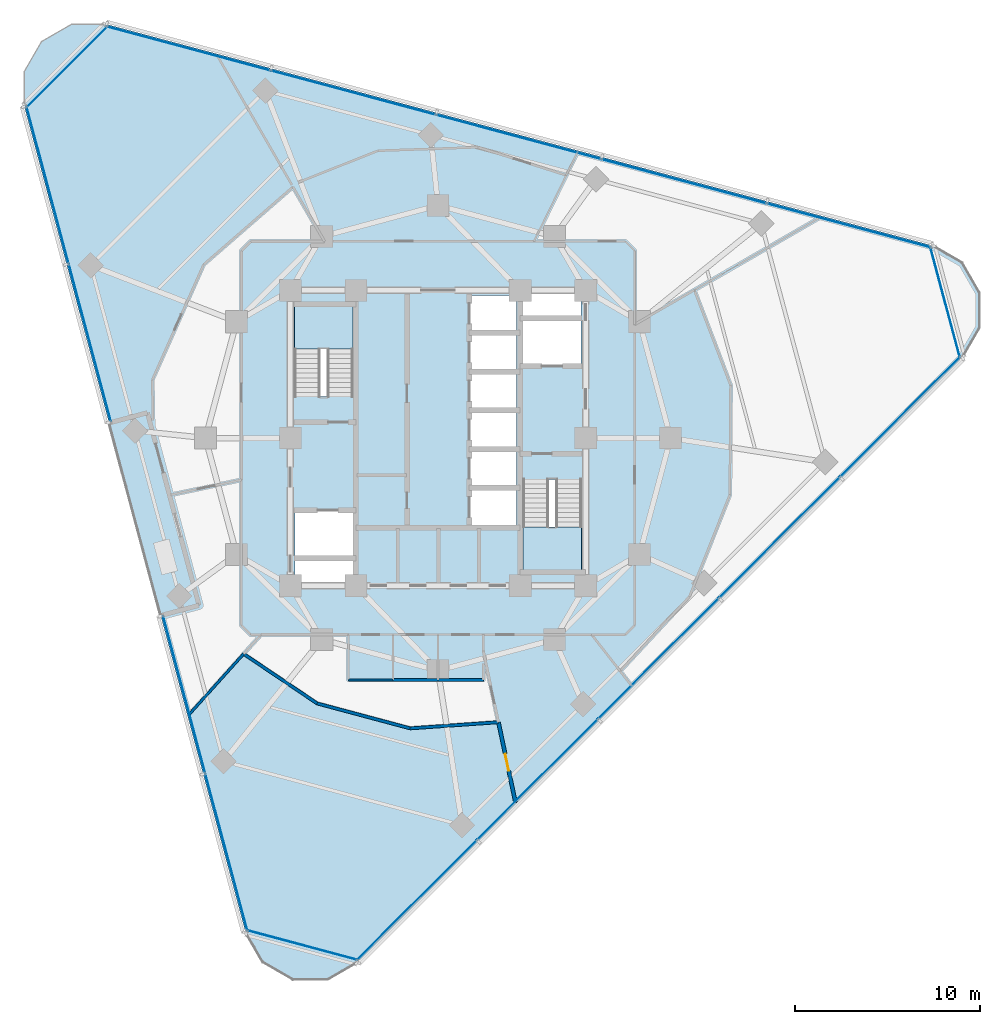
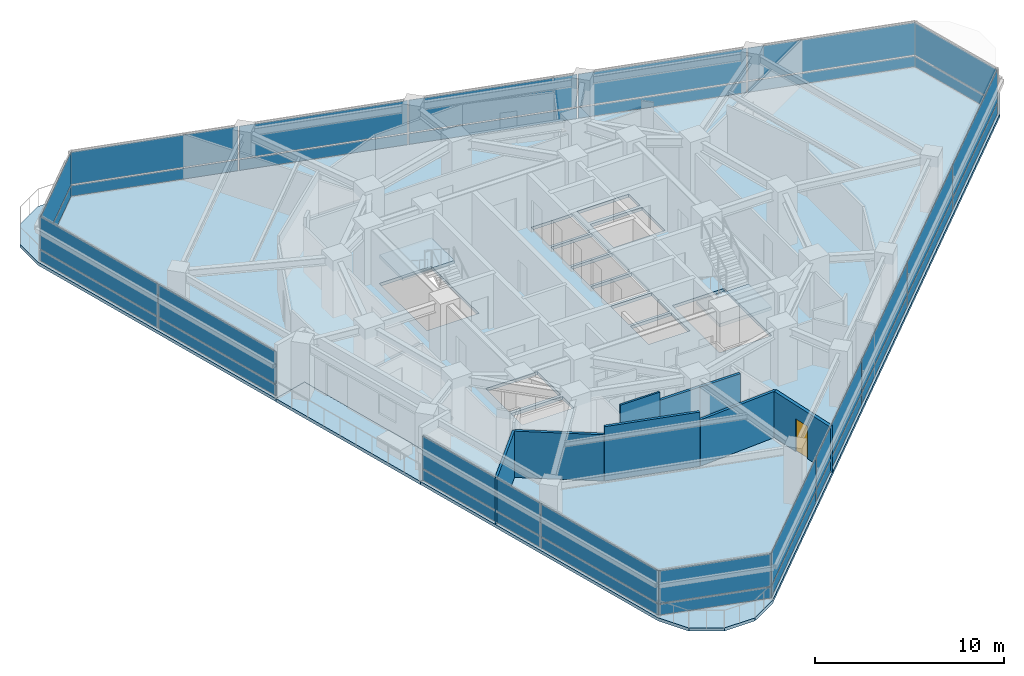
# One storey, part 6 of 14: 34 plates, 8 walls, 4 slabs, 1 door, 1 opening, 9 elements without a shape of their own.
"""IFC4 building model written with IfcOpenShell, lengths in metres."""

from ifc_helpers import new_model, si_unit, direction, frame, frame_2d, origin, origin_2d, place, context, subcontext, project, spatial, polyline, rectangle, outline, extrude, material, layer, layer_set, type_object, element, fill, aggregate, save


model = new_model("IFC4")

# Units and contexts
model_context = context("Model", 3, precision=1e-05, world=origin(), true_north=direction((0.0, 1.0)))
body_context = subcontext(model_context, "Body", "Model", "MODEL_VIEW")
ifc_project = project(units=[si_unit("LENGTHUNIT", "METRE"), si_unit("AREAUNIT", "SQUARE_METRE"), si_unit("VOLUMEUNIT", "CUBIC_METRE"), si_unit("PLANEANGLEUNIT", "RADIAN"), si_unit("MASSUNIT", "GRAM", prefix="KILO")], contexts=[model_context])

# Site, building, storey
site_placement = place(None, origin())
site = spatial("IfcSite", under=ifc_project, at=site_placement, CompositionType="ELEMENT")
building_placement = place(site_placement, origin())
building = spatial("IfcBuilding", under=site, at=building_placement, Name="Terralouvre Media Tower", CompositionType="ELEMENT")
storey_placement = place(building_placement, frame((0.0, 0.0, 206.39990234375)))
storey = spatial("IfcBuildingStorey", under=building, at=storey_placement, Name="L53", CompositionType="ELEMENT", Elevation=206.39990234375)

# Slabs
ifc_material_1 = material(Name="Concrete C40/50", Category="concrete")
ifc_layer_1 = layer(ifc_material_1, 0.199951171875, Name="Composite Tower Floor Slab S-TYP200")
ifc_layer_set_1 = layer_set([ifc_layer_1], Name="Concrete C40/50")
slab_type_1 = type_object("IfcSlabType", Name="Composite Tower Floor Slab S-TYP200", PredefinedType="FLOOR", material=ifc_layer_set_1)
slab_1_placement = place(storey_placement, frame((0.0, 0.0, -0.199951171875), z_axis=(0.0, 0.0, 1.0), x_axis=(0.707106781187, 0.707106781187, 0.0)))
element("IfcSlab", 1, at=slab_1_placement, inside=storey, type_object=slab_type_1, Name="L53 Structural Floor Slab", PredefinedType="FLOOR", context=body_context, shape_type="SweptSolid", body=[
    extrude(outline(polyline([(-3.135009765625, 28.575927734375), (-12.02490234375, 13.177978515625), (-10.1630859375, 12.10302734375), (-15.56298828125, 2.75), (-17.425048828125, 3.824951171875), (-26.31494140625, -11.572998046875), (-26.800048828125, -13.383056640625), (-26.31494140625, -15.19287109375), (-24.989990234375, -16.51806640625), (-23.179931640625, -17.0029296875), (23.179931640625, -17.0029296875), (24.989990234375, -16.51806640625), (26.31494140625, -15.19287109375), (26.800048828125, -13.383056640625), (26.31494140625, -11.572998046875), (3.135009765625, 28.575927734375), (1.81005859375, 29.90087890625), (0.0, 30.385986328125), (-1.81005859375, 29.90087890625), (-3.135009765625, 28.575927734375)]), holes=[polyline([(-7.919677734375, -1.414306640625), (-8.76806640625, -2.2626953125), (-10.99560546875, -0.035400390625), (-10.14697265625, 0.813232421875), (-7.919677734375, -1.414306640625)]), polyline([(-7.778076171875, -1.272705078125), (-10.005615234375, 0.95458984375), (-8.273193359375, 2.68701171875), (-6.045654296875, 0.459716796875), (-7.778076171875, -1.272705078125)]), polyline([(4.122314453125, -1.887939453125), (2.354736328125, -0.1201171875), (3.7265625, 1.25146484375), (5.494140625, -0.51611328125), (4.122314453125, -1.887939453125)]), polyline([(6.979248046875, 0.96875), (5.607421875, -0.403076171875), (3.839599609375, 1.36474609375), (5.21142578125, 2.736572265625), (6.979248046875, 0.96875)]), polyline([(-1.665283203125, 4.840087890625), (-3.913818359375, 7.0888671875), (-0.36767578125, 10.634765625), (1.880859375, 8.38623046875), (-1.665283203125, 4.840087890625)]), polyline([(7.09228515625, 1.081787109375), (5.324462890625, 2.849609375), (6.6962890625, 4.221435546875), (8.464111328125, 2.45361328125), (7.09228515625, 1.081787109375)]), polyline([(-1.880859375, -8.38623046875), (1.665283203125, -4.840087890625), (3.913818359375, -7.0888671875), (0.36767578125, -10.634765625), (-1.880859375, -8.38623046875)]), polyline([(-0.332275390625, -6.3427734375), (-2.10009765625, -4.574951171875), (-0.728271484375, -3.203125), (1.03955078125, -4.970947265625), (-0.332275390625, -6.3427734375)]), polyline([(1.152587890625, -4.85791015625), (-0.615234375, -3.090087890625), (0.756591796875, -1.71826171875), (2.5244140625, -3.486083984375), (1.152587890625, -4.85791015625)]), polyline([(4.00927734375, -2.001220703125), (2.637451171875, -3.372802734375), (0.86962890625, -1.605224609375), (2.241455078125, -0.2333984375), (4.00927734375, -2.001220703125)]), polyline([(8.273193359375, -2.68701171875), (6.045654296875, -0.459716796875), (7.778076171875, 1.272705078125), (10.005615234375, -0.95458984375), (8.273193359375, -2.68701171875)]), polyline([(10.14697265625, -0.813232421875), (7.919677734375, 1.414306640625), (8.76806640625, 2.2626953125), (10.99560546875, 0.035400390625), (10.14697265625, -0.813232421875)])]), origin(), (0.0, 0.0, 1.0), 0.199951171875),
])
ifc_material_2 = material(Name="Concrete C45/55", Category="concrete")
ifc_layer_2 = layer(ifc_material_2, 0.2099609375, Name="Planted Sky-Garden External Deck S-TER210")
ifc_layer_set_2 = layer_set([ifc_layer_2], Name="Concrete C45/55")
slab_type_2 = type_object("IfcSlabType", Name="Planted Sky-Garden External Deck S-TER210", PredefinedType="FLOOR", material=ifc_layer_set_2)
slab_2_placement = place(storey_placement, frame((0.0, 0.0, -0.2099609375), z_axis=(0.0, 0.0, 1.0), x_axis=(0.707106781187, 0.707106781187, 0.0)))
element("IfcSlab", 2, at=slab_2_placement, inside=storey, type_object=slab_type_2, Name="L53 Helical Planted Sky-Garden Deck 11", PredefinedType="FLOOR", context=body_context, shape_type="SweptSolid", body=[
    extrude(outline(polyline([(-12.02490234375, 13.177978515625), (-17.425048828125, 3.824951171875), (-15.56298828125, 2.75), (-10.1630859375, 12.10302734375), (-12.02490234375, 13.177978515625)])), origin(), (0.0, 0.0, 1.0), 0.2099609375),
])

# Stair, slab
ifc_material_3 = material(Name="Concrete C45/55", Category="concrete")
stair_type_1 = type_object("IfcStairType", Name="Dogleg Stair Assembly ST-01", PredefinedType="HALF_TURN_STAIR", material=ifc_material_3)
stair_1_placement = place(storey_placement, origin())
stair_1 = element("IfcStair", 3, at=stair_1_placement, inside=storey, type_object=stair_type_1, Name="L53 Core Pressurised Exit Stair ST-01", PredefinedType="HALF_TURN_STAIR")
ifc_material_4 = material(Name="Concrete C45/55", Category="concrete")
ifc_layer_3 = layer(ifc_material_4, 0.199951171875, Name="Reinforced Concrete Stair Half-Landing SL-LD1")
ifc_layer_set_3 = layer_set([ifc_layer_3], Name="Concrete C45/55")
slab_type_3 = type_object("IfcSlabType", Name="Reinforced Concrete Stair Half-Landing SL-LD1", PredefinedType="LANDING", material=ifc_layer_set_3)
slab_3_placement = place(storey_placement, frame((0.0, 0.0, 1.650146484375)))
slab_3 = element("IfcSlab", 4, at=slab_3_placement, type_object=slab_type_3, Name="ST-01 landing 1", PredefinedType="LANDING", context=body_context, shape_type="SweptSolid", body=[
    extrude(outline(polyline([(-4.60009765625, 4.820068359375), (-4.60009765625, 7.260009765625), (-7.780029296875, 7.260009765625), (-7.780029296875, 4.820068359375), (-4.60009765625, 4.820068359375)])), origin(), (0.0, 0.0, 1.0), 0.199951171875),
])
aggregate(stair_1, [slab_3])

ifc_material_5 = material(Name="Concrete C45/55", Category="concrete")
stair_type_2 = type_object("IfcStairType", Name="Dogleg Stair Assembly ST-02", PredefinedType="HALF_TURN_STAIR", material=ifc_material_5)
stair_2_placement = place(storey_placement, origin())
stair_2 = element("IfcStair", 5, at=stair_2_placement, inside=storey, type_object=stair_type_2, Name="L53 Core Pressurised Exit Stair ST-02", PredefinedType="HALF_TURN_STAIR")
slab_4_placement = place(storey_placement, frame((0.0, 0.0, 1.650146484375)))
slab_4 = element("IfcSlab", 6, at=slab_4_placement, type_object=slab_type_3, Name="ST-02 landing 1", PredefinedType="LANDING", context=body_context, shape_type="SweptSolid", body=[
    extrude(outline(polyline([(4.60009765625, -4.820068359375), (4.60009765625, -7.260009765625), (7.780029296875, -7.260009765625), (7.780029296875, -4.820068359375), (4.60009765625, -4.820068359375)])), origin(), (0.0, 0.0, 1.0), 0.199951171875),
])
aggregate(stair_2, [slab_4])

# Curtain wall, plates
ifc_material_6 = material(Name="Low-iron laminated double glazing with solar-control coating", Category="glass")
ifc_layer_4 = layer(ifc_material_6, 0.1650390625, Name="Rounded Wind-Corner Curved Glazing CW-04")
ifc_layer_set_4 = layer_set([ifc_layer_4], Name="Low-iron laminated double glazing with solar-control coating")
curtain_wall_type_1 = type_object("IfcCurtainWallType", Name="Rounded Wind-Corner Curved Glazing CW-04", PredefinedType="NOTDEFINED", material=ifc_layer_set_4)
curtain_wall_1_placement = place(storey_placement, origin())
curtain_wall_1 = element("IfcCurtainWall", 7, at=curtain_wall_1_placement, inside=storey, type_object=curtain_wall_type_1, Name="L53 Rounded Wind-Corner Curtain Wall C0", PredefinedType="NOTDEFINED")
ifc_material_7 = material(Name="Low-iron laminated double glazing with solar-control coating", Category="glass")
ifc_layer_5 = layer(ifc_material_7, 0.0400390625, Name="Rounded Corner Laminated Vision Panel CWP-03")
ifc_layer_set_5 = layer_set([ifc_layer_5], Name="Low-iron laminated double glazing with solar-control coating")
plate_type_1 = type_object("IfcPlateType", Name="Rounded Corner Laminated Vision Panel CWP-03", PredefinedType="CURTAIN_PANEL", material=ifc_layer_set_5)
plate_1_placement = place(storey_placement, frame((-7.35986328125, -27.467041015625, 0.0751953125), z_axis=(0.0, 0.0, 1.0), x_axis=(0.965925911218, -0.258818728144, 0.0)))
plate_1 = element("IfcPlate", 8, at=plate_1_placement, type_object=plate_type_1, Name="CW-04 panel 1.1", PredefinedType="CURTAIN_PANEL", context=body_context, shape_type="SweptSolid", body=[
    extrude(rectangle(XDim=6.1201171875, YDim=0.035888671875, at=origin_2d()), origin(), (0.0, 0.0, 1.0), 0.6875),
])
plate_2_placement = place(storey_placement, frame((-7.35986328125, -27.467041015625, 0.837646484375), z_axis=(0.0, 0.0, 1.0), x_axis=(0.965925911218, -0.258818728144, 0.0)))
plate_2 = element("IfcPlate", 9, at=plate_2_placement, type_object=plate_type_1, Name="CW-04 panel 1.2", PredefinedType="CURTAIN_PANEL", context=body_context, shape_type="SweptSolid", body=[
    extrude(rectangle(XDim=6.1201171875, YDim=0.035888671875, at=origin_2d()), origin(), (0.0, 0.0, 1.0), 2.08740234375),
])
aggregate(curtain_wall_1, [plate_1, plate_2])

curtain_wall_2_placement = place(storey_placement, origin())
curtain_wall_2 = element("IfcCurtainWall", 10, at=curtain_wall_2_placement, inside=storey, type_object=curtain_wall_type_1, Name="L53 Rounded Wind-Corner Curtain Wall C1", PredefinedType="NOTDEFINED")
plate_3_placement = place(storey_placement, frame((27.467041015625, 7.35986328125, 0.0751953125), z_axis=(0.0, 0.0, 1.0), x_axis=(-0.258818728144, 0.965925911218, 0.0)))
plate_3 = element("IfcPlate", 11, at=plate_3_placement, type_object=plate_type_1, Name="CW-04 panel 1.1", PredefinedType="CURTAIN_PANEL", context=body_context, shape_type="SweptSolid", body=[
    extrude(rectangle(XDim=6.1201171875, YDim=0.035888671875, at=origin_2d()), origin(), (0.0, 0.0, 1.0), 0.6875),
])
plate_4_placement = place(storey_placement, frame((27.467041015625, 7.35986328125, 0.837646484375), z_axis=(0.0, 0.0, 1.0), x_axis=(-0.258818728144, 0.965925911218, 0.0)))
plate_4 = element("IfcPlate", 12, at=plate_4_placement, type_object=plate_type_1, Name="CW-04 panel 1.2", PredefinedType="CURTAIN_PANEL", context=body_context, shape_type="SweptSolid", body=[
    extrude(rectangle(XDim=6.1201171875, YDim=0.035888671875, at=origin_2d()), origin(), (0.0, 0.0, 1.0), 2.08740234375),
])
aggregate(curtain_wall_2, [plate_3, plate_4])

curtain_wall_3_placement = place(storey_placement, origin())
curtain_wall_3 = element("IfcCurtainWall", 13, at=curtain_wall_3_placement, inside=storey, type_object=curtain_wall_type_1, Name="L53 Rounded Wind-Corner Curtain Wall C2", PredefinedType="NOTDEFINED")
plate_5_placement = place(storey_placement, frame((-20.107177734375, 20.107177734375, 0.0751953125), z_axis=(0.0, 0.0, 1.0), x_axis=(-0.707106781187, -0.707106781187, 0.0)))
plate_5 = element("IfcPlate", 14, at=plate_5_placement, type_object=plate_type_1, Name="CW-04 panel 1.1", PredefinedType="CURTAIN_PANEL", context=body_context, shape_type="SweptSolid", body=[
    extrude(rectangle(XDim=6.1201171875, YDim=0.035888671875, at=origin_2d()), origin(), (0.0, 0.0, 1.0), 0.6875),
])
plate_6_placement = place(storey_placement, frame((-20.107177734375, 20.107177734375, 0.837646484375), z_axis=(0.0, 0.0, 1.0), x_axis=(-0.707106781187, -0.707106781187, 0.0)))
plate_6 = element("IfcPlate", 15, at=plate_6_placement, type_object=plate_type_1, Name="CW-04 panel 1.2", PredefinedType="CURTAIN_PANEL", context=body_context, shape_type="SweptSolid", body=[
    extrude(rectangle(XDim=6.1201171875, YDim=0.035888671875, at=origin_2d()), origin(), (0.0, 0.0, 1.0), 2.08740234375),
])
aggregate(curtain_wall_3, [plate_5, plate_6])

ifc_material_8 = material(Name="Low-iron laminated double glazing with solar-control coating", Category="glass")
ifc_layer_6 = layer(ifc_material_8, 0.1650390625, Name="Production Studio Tower Curtain Wall CW-03")
ifc_layer_set_6 = layer_set([ifc_layer_6], Name="Low-iron laminated double glazing with solar-control coating")
curtain_wall_type_2 = type_object("IfcCurtainWallType", Name="Production Studio Tower Curtain Wall CW-03", PredefinedType="NOTDEFINED", material=ifc_layer_set_6)
curtain_wall_4_placement = place(storey_placement, origin())
curtain_wall_4 = element("IfcCurtainWall", 16, at=curtain_wall_4_placement, inside=storey, type_object=curtain_wall_type_2, Name="L53 Facade Curtain Wall F0", PredefinedType="NOTDEFINED")
ifc_material_9 = material(Name="Low-iron laminated double glazing with solar-control coating", Category="glass")
ifc_layer_7 = layer(ifc_material_9, 0.035888671875, Name="Vision Double-Glazed Unit CWP-01")
ifc_layer_set_7 = layer_set([ifc_layer_7], Name="Low-iron laminated double glazing with solar-control coating")
plate_type_2 = type_object("IfcPlateType", Name="Vision Double-Glazed Unit CWP-01", PredefinedType="CURTAIN_PANEL", material=ifc_layer_set_7)
plate_7_placement = place(storey_placement, frame((-1.161376953125, -25.037353515625, 0.0751953125), z_axis=(0.0, 0.0, 1.0), x_axis=(0.707106781187, 0.707106781187, 0.0)))
plate_7 = element("IfcPlate", 17, at=plate_7_placement, type_object=plate_type_2, Name="CW-03 panel 1.1", PredefinedType="CURTAIN_PANEL", context=body_context, shape_type="SweptSolid", body=[
    extrude(rectangle(XDim=9.159423828125, YDim=0.035888671875, at=origin_2d()), origin(), (0.0, 0.0, 1.0), 0.6875),
])
plate_8_placement = place(storey_placement, frame((-1.161376953125, -25.037353515625, 0.837646484375), z_axis=(0.0, 0.0, 1.0), x_axis=(0.707106781187, 0.707106781187, 0.0)))
plate_8 = element("IfcPlate", 18, at=plate_8_placement, type_object=plate_type_2, Name="CW-03 panel 1.2", PredefinedType="CURTAIN_PANEL", context=body_context, shape_type="SweptSolid", body=[
    extrude(rectangle(XDim=9.159423828125, YDim=0.035888671875, at=origin_2d()), origin(), (0.0, 0.0, 1.0), 2.08740234375),
])
plate_9_placement = place(storey_placement, frame((5.3818359375, -18.494384765625, 0.0751953125), z_axis=(0.0, 0.0, 1.0), x_axis=(0.707106781187, 0.707106781187, 0.0)))
plate_9 = element("IfcPlate", 19, at=plate_9_placement, type_object=plate_type_2, Name="CW-03 panel 2.1", PredefinedType="CURTAIN_PANEL", context=body_context, shape_type="SweptSolid", body=[
    extrude(rectangle(XDim=9.197021484375, YDim=0.035888671875, at=origin_2d()), origin(), (0.0, 0.0, 1.0), 0.6875),
])
plate_10_placement = place(storey_placement, frame((5.3818359375, -18.494384765625, 0.837646484375), z_axis=(0.0, 0.0, 1.0), x_axis=(0.707106781187, 0.707106781187, 0.0)))
plate_10 = element("IfcPlate", 20, at=plate_10_placement, type_object=plate_type_2, Name="CW-03 panel 2.2", PredefinedType="CURTAIN_PANEL", context=body_context, shape_type="SweptSolid", body=[
    extrude(rectangle(XDim=9.197021484375, YDim=0.035888671875, at=origin_2d()), origin(), (0.0, 0.0, 1.0), 2.08740234375),
])
plate_11_placement = place(storey_placement, frame((11.93798828125, -11.93798828125, 0.0751953125), z_axis=(0.0, 0.0, 1.0), x_axis=(0.707106781187, 0.707106781187, 0.0)))
plate_11 = element("IfcPlate", 21, at=plate_11_placement, type_object=plate_type_2, Name="CW-03 panel 3.1", PredefinedType="CURTAIN_PANEL", context=body_context, shape_type="SweptSolid", body=[
    extrude(rectangle(XDim=9.197021484375, YDim=0.035888671875, at=origin_2d()), origin(), (0.0, 0.0, 1.0), 0.6875),
])
plate_12_placement = place(storey_placement, frame((11.93798828125, -11.93798828125, 0.837646484375), z_axis=(0.0, 0.0, 1.0), x_axis=(0.707106781187, 0.707106781187, 0.0)))
plate_12 = element("IfcPlate", 22, at=plate_12_placement, type_object=plate_type_2, Name="CW-03 panel 3.2", PredefinedType="CURTAIN_PANEL", context=body_context, shape_type="SweptSolid", body=[
    extrude(rectangle(XDim=9.197021484375, YDim=0.035888671875, at=origin_2d()), origin(), (0.0, 0.0, 1.0), 2.08740234375),
])
plate_13_placement = place(storey_placement, frame((18.494384765625, -5.3818359375, 0.0751953125), z_axis=(0.0, 0.0, 1.0), x_axis=(0.707106781187, 0.707106781187, 0.0)))
plate_13 = element("IfcPlate", 23, at=plate_13_placement, type_object=plate_type_2, Name="CW-03 panel 4.1", PredefinedType="CURTAIN_PANEL", context=body_context, shape_type="SweptSolid", body=[
    extrude(rectangle(XDim=9.197021484375, YDim=0.035888671875, at=origin_2d()), origin(), (0.0, 0.0, 1.0), 0.6875),
])
plate_14_placement = place(storey_placement, frame((18.494384765625, -5.3818359375, 0.837646484375), z_axis=(0.0, 0.0, 1.0), x_axis=(0.707106781187, 0.707106781187, 0.0)))
plate_14 = element("IfcPlate", 24, at=plate_14_placement, type_object=plate_type_2, Name="CW-03 panel 4.2", PredefinedType="CURTAIN_PANEL", context=body_context, shape_type="SweptSolid", body=[
    extrude(rectangle(XDim=9.197021484375, YDim=0.035888671875, at=origin_2d()), origin(), (0.0, 0.0, 1.0), 2.08740234375),
])
plate_15_placement = place(storey_placement, frame((25.037353515625, 1.161376953125, 0.0751953125), z_axis=(0.0, 0.0, 1.0), x_axis=(0.707106781187, 0.707106781187, 0.0)))
plate_15 = element("IfcPlate", 25, at=plate_15_placement, type_object=plate_type_2, Name="CW-03 panel 5.1", PredefinedType="CURTAIN_PANEL", context=body_context, shape_type="SweptSolid", body=[
    extrude(rectangle(XDim=9.159423828125, YDim=0.035888671875, at=origin_2d()), origin(), (0.0, 0.0, 1.0), 0.6875),
])
plate_16_placement = place(storey_placement, frame((25.037353515625, 1.161376953125, 0.837646484375), z_axis=(0.0, 0.0, 1.0), x_axis=(0.707106781187, 0.707106781187, 0.0)))
plate_16 = element("IfcPlate", 26, at=plate_16_placement, type_object=plate_type_2, Name="CW-03 panel 5.2", PredefinedType="CURTAIN_PANEL", context=body_context, shape_type="SweptSolid", body=[
    extrude(rectangle(XDim=9.159423828125, YDim=0.035888671875, at=origin_2d()), origin(), (0.0, 0.0, 1.0), 2.08740234375),
])
aggregate(curtain_wall_4, [plate_7, plate_8, plate_9, plate_10, plate_11, plate_12, plate_13, plate_14, plate_15, plate_16])

curtain_wall_5_placement = place(storey_placement, origin())
curtain_wall_5 = element("IfcCurtainWall", 27, at=curtain_wall_5_placement, inside=storey, type_object=curtain_wall_type_2, Name="L53 Facade Curtain Wall F1", PredefinedType="NOTDEFINED")
plate_17_placement = place(storey_placement, frame((22.263671875, 11.512939453125, 0.0751953125), z_axis=(0.0, 0.0, 1.0), x_axis=(-0.96592582942, 0.25881903342, 0.0)))
plate_17 = element("IfcPlate", 28, at=plate_17_placement, type_object=plate_type_2, Name="CW-03 panel 1.1", PredefinedType="CURTAIN_PANEL", context=body_context, shape_type="SweptSolid", body=[
    extrude(rectangle(XDim=9.159423828125, YDim=0.035888671875, at=origin_2d()), origin(), (0.0, 0.0, 1.0), 0.6875),
])
plate_18_placement = place(storey_placement, frame((22.263671875, 11.512939453125, 0.837646484375), z_axis=(0.0, 0.0, 1.0), x_axis=(-0.96592582942, 0.25881903342, 0.0)))
plate_18 = element("IfcPlate", 29, at=plate_18_placement, type_object=plate_type_2, Name="CW-03 panel 1.2", PredefinedType="CURTAIN_PANEL", context=body_context, shape_type="SweptSolid", body=[
    extrude(rectangle(XDim=9.159423828125, YDim=0.035888671875, at=origin_2d()), origin(), (0.0, 0.0, 1.0), 2.08740234375),
])
plate_19_placement = place(storey_placement, frame((13.32568359375, 13.907958984375, 0.0751953125), z_axis=(0.0, 0.0, 1.0), x_axis=(-0.96592582942, 0.25881903342, 0.0)))
plate_19 = element("IfcPlate", 30, at=plate_19_placement, type_object=plate_type_2, Name="CW-03 panel 2.1", PredefinedType="CURTAIN_PANEL", context=body_context, shape_type="SweptSolid", body=[
    extrude(rectangle(XDim=9.197021484375, YDim=0.035888671875, at=origin_2d()), origin(), (0.0, 0.0, 1.0), 0.6875),
])
plate_20_placement = place(storey_placement, frame((13.32568359375, 13.907958984375, 0.837646484375), z_axis=(0.0, 0.0, 1.0), x_axis=(-0.96592582942, 0.25881903342, 0.0)))
plate_20 = element("IfcPlate", 31, at=plate_20_placement, type_object=plate_type_2, Name="CW-03 panel 2.2", PredefinedType="CURTAIN_PANEL", context=body_context, shape_type="SweptSolid", body=[
    extrude(rectangle(XDim=9.197021484375, YDim=0.035888671875, at=origin_2d()), origin(), (0.0, 0.0, 1.0), 2.08740234375),
])
plate_21_placement = place(storey_placement, frame((4.36962890625, 16.3076171875, 0.0751953125), z_axis=(0.0, 0.0, 1.0), x_axis=(-0.96592582942, 0.25881903342, 0.0)))
plate_21 = element("IfcPlate", 32, at=plate_21_placement, type_object=plate_type_2, Name="CW-03 panel 3.1", PredefinedType="CURTAIN_PANEL", context=body_context, shape_type="SweptSolid", body=[
    extrude(rectangle(XDim=9.197021484375, YDim=0.035888671875, at=origin_2d()), origin(), (0.0, 0.0, 1.0), 0.6875),
])
plate_22_placement = place(storey_placement, frame((4.36962890625, 16.3076171875, 0.837646484375), z_axis=(0.0, 0.0, 1.0), x_axis=(-0.96592582942, 0.25881903342, 0.0)))
plate_22 = element("IfcPlate", 33, at=plate_22_placement, type_object=plate_type_2, Name="CW-03 panel 3.2", PredefinedType="CURTAIN_PANEL", context=body_context, shape_type="SweptSolid", body=[
    extrude(rectangle(XDim=9.197021484375, YDim=0.035888671875, at=origin_2d()), origin(), (0.0, 0.0, 1.0), 2.08740234375),
])
plate_23_placement = place(storey_placement, frame((-4.58642578125, 18.70751953125, 0.0751953125), z_axis=(0.0, 0.0, 1.0), x_axis=(-0.96592582942, 0.25881903342, 0.0)))
plate_23 = element("IfcPlate", 34, at=plate_23_placement, type_object=plate_type_2, Name="CW-03 panel 4.1", PredefinedType="CURTAIN_PANEL", context=body_context, shape_type="SweptSolid", body=[
    extrude(rectangle(XDim=9.197021484375, YDim=0.035888671875, at=origin_2d()), origin(), (0.0, 0.0, 1.0), 0.6875),
])
plate_24_placement = place(storey_placement, frame((-4.58642578125, 18.70751953125, 0.837646484375), z_axis=(0.0, 0.0, 1.0), x_axis=(-0.96592582942, 0.25881903342, 0.0)))
plate_24 = element("IfcPlate", 35, at=plate_24_placement, type_object=plate_type_2, Name="CW-03 panel 4.2", PredefinedType="CURTAIN_PANEL", context=body_context, shape_type="SweptSolid", body=[
    extrude(rectangle(XDim=9.197021484375, YDim=0.035888671875, at=origin_2d()), origin(), (0.0, 0.0, 1.0), 2.08740234375),
])
plate_25_placement = place(storey_placement, frame((-13.5244140625, 21.102294921875, 0.0751953125), z_axis=(0.0, 0.0, 1.0), x_axis=(-0.96592582942, 0.25881903342, 0.0)))
plate_25 = element("IfcPlate", 36, at=plate_25_placement, type_object=plate_type_2, Name="CW-03 panel 5.1", PredefinedType="CURTAIN_PANEL", context=body_context, shape_type="SweptSolid", body=[
    extrude(rectangle(XDim=9.159423828125, YDim=0.035888671875, at=origin_2d()), origin(), (0.0, 0.0, 1.0), 0.6875),
])
plate_26_placement = place(storey_placement, frame((-13.5244140625, 21.102294921875, 0.837646484375), z_axis=(0.0, 0.0, 1.0), x_axis=(-0.96592582942, 0.25881903342, 0.0)))
plate_26 = element("IfcPlate", 37, at=plate_26_placement, type_object=plate_type_2, Name="CW-03 panel 5.2", PredefinedType="CURTAIN_PANEL", context=body_context, shape_type="SweptSolid", body=[
    extrude(rectangle(XDim=9.159423828125, YDim=0.035888671875, at=origin_2d()), origin(), (0.0, 0.0, 1.0), 2.08740234375),
])
aggregate(curtain_wall_5, [plate_17, plate_18, plate_19, plate_20, plate_21, plate_22, plate_23, plate_24, plate_25, plate_26])

curtain_wall_6_placement = place(storey_placement, origin())
curtain_wall_6 = element("IfcCurtainWall", 38, at=curtain_wall_6_placement, inside=storey, type_object=curtain_wall_type_2, Name="L53 Left Flank Curtain Wall F2", PredefinedType="NOTDEFINED")
plate_27_placement = place(storey_placement, frame((-21.15185546875, 13.708984375, 0.0751953125), z_axis=(0.0, 0.0, 1.0), x_axis=(0.25881892426, -0.965925858669, 0.0)))
plate_27 = element("IfcPlate", 39, at=plate_27_placement, type_object=plate_type_2, Name="CW-03 panel 1.1", PredefinedType="CURTAIN_PANEL", context=body_context, shape_type="SweptSolid", body=[
    extrude(rectangle(XDim=8.777587890625, YDim=0.035888671875, at=origin_2d()), origin(), (0.0, 0.0, 1.0), 0.6875),
])
plate_28_placement = place(storey_placement, frame((-21.15185546875, 13.708984375, 0.837646484375), z_axis=(0.0, 0.0, 1.0), x_axis=(0.25881892426, -0.965925858669, 0.0)))
plate_28 = element("IfcPlate", 40, at=plate_28_placement, type_object=plate_type_2, Name="CW-03 panel 1.2", PredefinedType="CURTAIN_PANEL", context=body_context, shape_type="SweptSolid", body=[
    extrude(rectangle(XDim=8.777587890625, YDim=0.035888671875, at=origin_2d()), origin(), (0.0, 0.0, 1.0), 2.08740234375),
])
plate_29_placement = place(storey_placement, frame((-18.860595703125, 5.157958984375, 0.0751953125), z_axis=(0.0, 0.0, 1.0), x_axis=(0.25881892426, -0.965925858669, 0.0)))
plate_29 = element("IfcPlate", 41, at=plate_29_placement, type_object=plate_type_2, Name="CW-03 panel 2.1", PredefinedType="CURTAIN_PANEL", context=body_context, shape_type="SweptSolid", body=[
    extrude(rectangle(XDim=8.777587890625, YDim=0.035888671875, at=origin_2d()), origin(), (0.0, 0.0, 1.0), 0.6875),
])
plate_30_placement = place(storey_placement, frame((-18.860595703125, 5.157958984375, 0.837646484375), z_axis=(0.0, 0.0, 1.0), x_axis=(0.25881892426, -0.965925858669, 0.0)))
plate_30 = element("IfcPlate", 42, at=plate_30_placement, type_object=plate_type_2, Name="CW-03 panel 2.2", PredefinedType="CURTAIN_PANEL", context=body_context, shape_type="SweptSolid", body=[
    extrude(rectangle(XDim=8.777587890625, YDim=0.035888671875, at=origin_2d()), origin(), (0.0, 0.0, 1.0), 2.08740234375),
])
aggregate(curtain_wall_6, [plate_27, plate_28, plate_29, plate_30])

curtain_wall_7_placement = place(storey_placement, origin())
curtain_wall_7 = element("IfcCurtainWall", 43, at=curtain_wall_7_placement, inside=storey, type_object=curtain_wall_type_2, Name="L53 Right Flank Curtain Wall F2", PredefinedType="NOTDEFINED")
plate_31_placement = place(storey_placement, frame((-13.7548828125, -13.897216796875, 0.0751953125), z_axis=(0.0, 0.0, 1.0), x_axis=(0.25881892426, -0.965925858669, 0.0)))
plate_31 = element("IfcPlate", 44, at=plate_31_placement, type_object=plate_type_2, Name="CW-03 panel 1.1", PredefinedType="CURTAIN_PANEL", context=body_context, shape_type="SweptSolid", body=[
    extrude(rectangle(XDim=8.777587890625, YDim=0.035888671875, at=origin_2d()), origin(), (0.0, 0.0, 1.0), 0.6875),
])
plate_32_placement = place(storey_placement, frame((-13.7548828125, -13.897216796875, 0.837646484375), z_axis=(0.0, 0.0, 1.0), x_axis=(0.25881892426, -0.965925858669, 0.0)))
plate_32 = element("IfcPlate", 45, at=plate_32_placement, type_object=plate_type_2, Name="CW-03 panel 1.2", PredefinedType="CURTAIN_PANEL", context=body_context, shape_type="SweptSolid", body=[
    extrude(rectangle(XDim=8.777587890625, YDim=0.035888671875, at=origin_2d()), origin(), (0.0, 0.0, 1.0), 2.08740234375),
])
plate_33_placement = place(storey_placement, frame((-11.463623046875, -22.4482421875, 0.0751953125), z_axis=(0.0, 0.0, 1.0), x_axis=(0.25881892426, -0.965925858669, 0.0)))
plate_33 = element("IfcPlate", 46, at=plate_33_placement, type_object=plate_type_2, Name="CW-03 panel 2.1", PredefinedType="CURTAIN_PANEL", context=body_context, shape_type="SweptSolid", body=[
    extrude(rectangle(XDim=8.777587890625, YDim=0.035888671875, at=origin_2d()), origin(), (0.0, 0.0, 1.0), 0.6875),
])
plate_34_placement = place(storey_placement, frame((-11.463623046875, -22.4482421875, 0.837646484375), z_axis=(0.0, 0.0, 1.0), x_axis=(0.25881892426, -0.965925858669, 0.0)))
plate_34 = element("IfcPlate", 47, at=plate_34_placement, type_object=plate_type_2, Name="CW-03 panel 2.2", PredefinedType="CURTAIN_PANEL", context=body_context, shape_type="SweptSolid", body=[
    extrude(rectangle(XDim=8.777587890625, YDim=0.035888671875, at=origin_2d()), origin(), (0.0, 0.0, 1.0), 2.08740234375),
])
aggregate(curtain_wall_7, [plate_31, plate_32, plate_33, plate_34])

# Wall, opening, door
ifc_material_10 = material(Name="Fire-rated gypsum board drywall partition")
ifc_layer_8 = layer(ifc_material_10, 0.199951171875, Name="Fire-Rated Shaft and Lobby Partition FW-200")
ifc_layer_set_8 = layer_set([ifc_layer_8], Name="Fire-rated gypsum board drywall partition")
wall_type_1 = type_object("IfcWallType", Name="Fire-Rated Shaft and Lobby Partition FW-200", PredefinedType="SOLIDWALL", material=ifc_layer_set_8)
wall_1_placement = place(storey_placement, frame((4.19482421875, -19.73779296875, 0.0), z_axis=(0.0, 0.0, 1.0), x_axis=(-0.207771979347, 0.978177286895, 0.0)))
wall_1 = element("IfcWall", 48, at=wall_1_placement, inside=storey, type_object=wall_type_1, Name="L53 Interior Partition 032", PredefinedType="SOLIDWALL", context=body_context, shape_type="SweptSolid", body=[
    extrude(rectangle(XDim=4.441650390625, YDim=0.199951171875, at=frame_2d((2.220703125, 0.0))), origin(), (0.0, 0.0, 1.0), 2.985107421875),
])
opening_placement = place(wall_1_placement, frame((1.760986328125, 0.0, 0.0)))
opening = element("IfcOpeningElement", 49, at=opening_placement, cuts=wall_1, Name="Opening FD-05-92X210", PredefinedType="OPENING", context=body_context, shape_type="SweptSolid", body=[
    extrude(rectangle(XDim=0.919921875, YDim=2.10009765625, at=frame_2d((0.4599609375, 1.050048828125))), frame((0.0, 0.10986328125, 0.0), z_axis=(0.0, -1.0, 0.0), x_axis=(1.0, 0.0, 0.0)), (0.0, 0.0, 1.0), 0.219970703125),
])
ifc_material_11 = material(Name="Galvanised steel fire-resisting leaf", Category="steel")
door_type = type_object("IfcDoorType", Name="Core Accessible Closet Fire Door FD-05 (920x2100)", OperationType="NOTDEFINED", PredefinedType="DOOR", material=ifc_material_11)
door_placement = place(opening_placement, origin())
door = element("IfcDoor", 50, at=door_placement, inside=storey, type_object=door_type, Name="L53 SAN High-Speed Server Room 3 Door", OperationType="SINGLE_SWING_RIGHT", OverallHeight=2.10009765625, OverallWidth=0.919921875, PredefinedType="DOOR", context=body_context, shape_type="SweptSolid", body=[
    extrude(rectangle(XDim=0.919921875, YDim=2.10009765625, at=frame_2d((0.4599609375, 1.050048828125))), frame((0.0, 0.02490234375, 0.0), z_axis=(0.0, -1.0, 0.0), x_axis=(1.0, 0.0, 0.0)), (0.0, 0.0, 1.0), 0.050048828125),
])
fill(opening, door)

# Walls
ifc_material_12 = material(Name="Fire-rated gypsum board drywall partition")
ifc_layer_9 = layer(ifc_material_12, 0.135009765625, Name="Newsroom Acoustic Partition PT-135")
ifc_layer_set_9 = layer_set([ifc_layer_9], Name="Fire-rated gypsum board drywall partition")
wall_type_2 = type_object("IfcWallType", Name="Newsroom Acoustic Partition PT-135", PredefinedType="PARTITIONING", material=ifc_layer_set_9)
wall_2_placement = place(storey_placement, frame((-13.501953125, -14.99560546875, 0.0), z_axis=(0.0, 0.0, 1.0), x_axis=(0.669034568021, 0.74323128755, 0.0)))
element("IfcWall", 51, at=wall_2_placement, inside=storey, type_object=wall_type_2, Name="L53 Interior Partition 020", PredefinedType="PARTITIONING", context=body_context, shape_type="SweptSolid", body=[
    extrude(rectangle(XDim=4.442138671875, YDim=0.135009765625, at=frame_2d((2.22119140625, 0.0))), origin(), (0.0, 0.0, 1.0), 2.985107421875),
])
ifc_material_13 = material(Name="Fire-rated gypsum board drywall partition")
ifc_layer_10 = layer(ifc_material_13, 0.114990234375, Name="Restroom and Pantry Partition PT-115")
ifc_layer_set_10 = layer_set([ifc_layer_10], Name="Fire-rated gypsum board drywall partition")
wall_type_3 = type_object("IfcWallType", Name="Restroom and Pantry Partition PT-115", PredefinedType="PARTITIONING", material=ifc_layer_set_10)
wall_3_placement = place(storey_placement, frame((-4.85009765625, -13.10009765625, 0.0), z_axis=(0.0, 0.0, 1.0), x_axis=(1.0, 0.0, 0.0)))
element("IfcWall", 52, at=wall_3_placement, inside=storey, type_object=wall_type_3, Name="L53 Interior Partition 023", PredefinedType="PARTITIONING", context=body_context, shape_type="SweptSolid", body=[
    extrude(rectangle(XDim=2.400146484375, YDim=0.114990234375, at=frame_2d((1.2001953125, 0.0))), origin(), (0.0, 0.0, 1.0), 3.5),
])
ifc_material_14 = material(Name="Fire-rated gypsum board drywall partition")
ifc_layer_11 = layer(ifc_material_14, 0.159912109375, Name="Studio Acoustic Rated Partition PT-160")
ifc_layer_set_11 = layer_set([ifc_layer_11], Name="Fire-rated gypsum board drywall partition")
wall_type_4 = type_object("IfcWallType", Name="Studio Acoustic Rated Partition PT-160", PredefinedType="PARTITIONING", material=ifc_layer_set_11)
wall_4_placement = place(storey_placement, frame((-10.530029296875, -11.694091796875, 0.0), z_axis=(0.0, 0.0, 1.0), x_axis=(0.829071580283, -0.559142481633, 0.0)))
element("IfcWall", 53, at=wall_4_placement, inside=storey, type_object=wall_type_4, Name="L53 Interior Partition 025", PredefinedType="PARTITIONING", context=body_context, shape_type="SweptSolid", body=[
    extrude(rectangle(XDim=4.798095703125, YDim=0.159912109375, at=frame_2d((2.39892578125, 0.0))), origin(), (0.0, 0.0, 1.0), 2.985107421875),
])
wall_5_placement = place(storey_placement, frame((-6.552001953125, -14.376953125, 0.0), z_axis=(0.0, 0.0, 1.0), x_axis=(0.965918799372, -0.258845268489, 0.0)))
element("IfcWall", 54, at=wall_5_placement, inside=storey, type_object=wall_type_4, Name="L53 Interior Partition 026", PredefinedType="PARTITIONING", context=body_context, shape_type="SweptSolid", body=[
    extrude(rectangle(XDim=5.2158203125, YDim=0.159912109375, at=frame_2d((2.60791015625, 0.0))), origin(), (0.0, 0.0, 1.0), 3.5),
])
wall_6_placement = place(storey_placement, frame((-1.513916015625, -15.72705078125, 0.0), z_axis=(0.0, 0.0, 1.0), x_axis=(0.997573868173, 0.069615928769, 0.0)))
element("IfcWall", 55, at=wall_6_placement, inside=storey, type_object=wall_type_4, Name="L53 Interior Partition 027", PredefinedType="PARTITIONING", context=body_context, shape_type="SweptSolid", body=[
    extrude(rectangle(XDim=4.797607421875, YDim=0.159912109375, at=frame_2d((2.39892578125, 0.0))), origin(), (0.0, 0.0, 1.0), 2.985107421875),
])
for number, where, z_axis, x_axis, name in (
    (56, (0.0, -13.10009765625, 0.0), (0.0, 0.0, 1.0), (-1.0, 0.0, 0.0), "L53 Interior Partition 028"),
    (57, (2.449951171875, -13.10009765625, 0.0), (0.0, 0.0, 1.0), (-1.0, 0.0, 0.0), "L53 Interior Partition 030"),
):
    element("IfcWall", number, at=place(storey_placement, frame(where, z_axis=z_axis, x_axis=x_axis)), inside=storey, type_object=wall_type_4, Name=name, PredefinedType="PARTITIONING", context=body_context, shape_type="SweptSolid", body=[
        extrude(rectangle(XDim=2.449951171875, YDim=0.159912109375, at=frame_2d((1.22509765625, 0.0))), origin(), (0.0, 0.0, 1.0), 2.985107421875),
    ])

save(model, "model.ifc")
